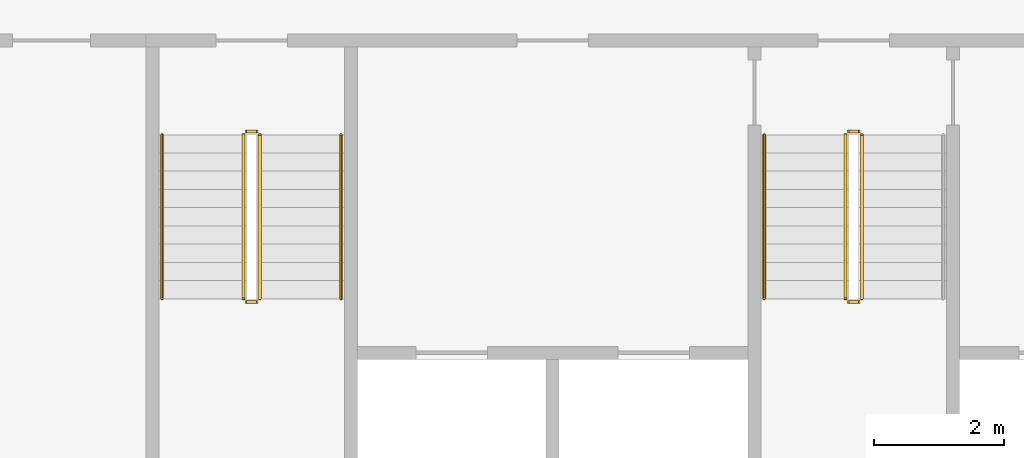
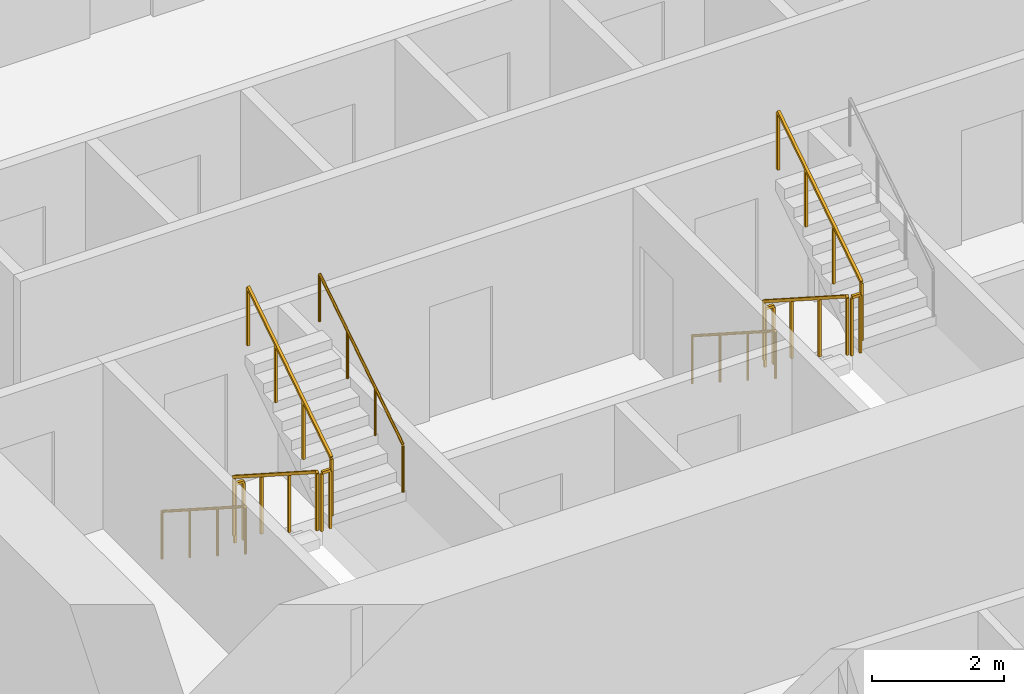
# One storey, part 15 of 18: 11 railings.
"""IFC4 building model written with IfcOpenShell, lengths in metres."""

from ifc_helpers import new_model, si_unit, direction, frame, origin, origin_2d, place, context, subcontext, project, spatial, rectangle, circle, extrude, material, type_object, element, save


model = new_model("IFC4")

# Units and contexts
model_context = context("Model", 3, precision=1e-05, world=origin(), true_north=direction((0.0, 1.0)))
body_context = subcontext(model_context, "Body", "Model", "MODEL_VIEW")
ifc_project = project(units=[si_unit("LENGTHUNIT", "METRE"), si_unit("AREAUNIT", "SQUARE_METRE"), si_unit("VOLUMEUNIT", "CUBIC_METRE"), si_unit("PLANEANGLEUNIT", "RADIAN"), si_unit("MASSUNIT", "GRAM", prefix="KILO")], contexts=[model_context])

# Site, building, storey
site_placement = place(None, origin())
site = spatial("IfcSite", under=ifc_project, at=site_placement, CompositionType="ELEMENT")
building_placement = place(site_placement, origin())
building = spatial("IfcBuilding", under=site, at=building_placement, Name="Mangrove Gate Tower", CompositionType="ELEMENT")
storey_placement = place(building_placement, frame((0.0, 0.0, 71.10009765625)))
storey = spatial("IfcBuildingStorey", under=building, at=storey_placement, Name="L17", CompositionType="ELEMENT", Elevation=71.10009765625)

# Railings
ifc_material_1 = material(Name="Stainless steel 316", Category="steel")
railing_type_1 = type_object("IfcRailingType", Name="Core stair guard 1100", PredefinedType="GUARDRAIL", material=ifc_material_1)
railing_1_placement = place(storey_placement, frame((-9.39990234375, -4.64990234375, 0.179931640625)))
element("IfcRailing", 1, at=railing_1_placement, inside=storey, type_object=railing_type_1, Name="L17 ST1 stair guard 1", PredefinedType="GUARDRAIL", context=body_context, shape_type="SweptSolid", body=[
    extrude(rectangle(XDim=0.048095703125, YDim=0.048095703125, at=origin_2d()), frame((0.0, 0.0, 1.076171875), z_axis=(0.0, -0.841199657755, 0.540724639528), x_axis=(1.0, 0.0, 0.0)), (0.0, 0.0, 1.0), 2.995849609375),
    extrude(rectangle(XDim=0.0419921875, YDim=0.0419921875, at=origin_2d()), origin(), (0.0, 0.0, 1.0), 1.052001953125),
    extrude(rectangle(XDim=0.0419921875, YDim=0.0419921875, at=origin_2d()), frame((0.0, -0.840087890625, 0.5400390625)), (0.0, 0.0, 1.0), 1.052001953125),
    extrude(rectangle(XDim=0.0419921875, YDim=0.0419921875, at=origin_2d()), frame((0.0, -1.679931640625, 1.079833984375)), (0.0, 0.0, 1.0), 1.052001953125),
    extrude(rectangle(XDim=0.0419921875, YDim=0.0419921875, at=origin_2d()), frame((0.0, -2.52001953125, 1.619873046875)), (0.0, 0.0, 1.0), 1.052001953125),
])
railing_2_placement = place(storey_placement, frame((-9.35009765625, -7.219970703125, 1.7998046875)))
element("IfcRailing", 2, at=railing_2_placement, inside=storey, type_object=railing_type_1, Name="L17 ST1 stair guard 2", PredefinedType="GUARDRAIL", context=body_context, shape_type="SweptSolid", body=[
    extrude(rectangle(XDim=0.048095703125, YDim=0.048095703125, at=origin_2d()), frame((0.0, 0.0, 1.076171875), z_axis=(1.0, 0.0, 0.0), x_axis=(0.0, 1.0, 0.0)), (0.0, 0.0, 1.0), 0.150146484375),
    extrude(rectangle(XDim=0.0419921875, YDim=0.0419921875, at=origin_2d()), origin(), (0.0, 0.0, 1.0), 1.052001953125),
    extrude(rectangle(XDim=0.0419921875, YDim=0.0419921875, at=origin_2d()), frame((0.150146484375, 0.0, 0.0)), (0.0, 0.0, 1.0), 1.052001953125),
])
railing_3_placement = place(storey_placement, frame((-9.14990234375, -7.169921875, 1.97998046875)))
element("IfcRailing", 3, at=railing_3_placement, inside=storey, type_object=railing_type_1, Name="L17 ST1 stair guard 3", PredefinedType="GUARDRAIL", context=body_context, shape_type="SweptSolid", body=[
    extrude(rectangle(XDim=0.048095703125, YDim=0.048095703125, at=origin_2d()), frame((0.0, 0.0, 1.076171875), z_axis=(0.0, 0.841199657755, 0.540724639528), x_axis=(-1.0, 0.0, 0.0)), (0.0, 0.0, 1.0), 2.995849609375),
    extrude(rectangle(XDim=0.0419921875, YDim=0.0419921875, at=origin_2d()), origin(), (0.0, 0.0, 1.0), 1.052001953125),
    extrude(rectangle(XDim=0.0419921875, YDim=0.0419921875, at=origin_2d()), frame((0.0, 0.840087890625, 0.5400390625)), (0.0, 0.0, 1.0), 1.052001953125),
    extrude(rectangle(XDim=0.0419921875, YDim=0.0419921875, at=origin_2d()), frame((0.0, 1.679931640625, 1.079833984375)), (0.0, 0.0, 1.0), 1.052001953125),
    extrude(rectangle(XDim=0.0419921875, YDim=0.0419921875, at=origin_2d()), frame((0.0, 2.52001953125, 1.619873046875)), (0.0, 0.0, 1.0), 1.052001953125),
])
railing_4_placement = place(storey_placement, frame((-9.35009765625, -4.60009765625, 0.0)))
element("IfcRailing", 4, at=railing_4_placement, inside=storey, type_object=railing_type_1, Name="L17 ST1 stair guard 4", PredefinedType="GUARDRAIL", context=body_context, shape_type="SweptSolid", body=[
    extrude(rectangle(XDim=0.048095703125, YDim=0.048095703125, at=origin_2d()), frame((0.0, 0.0, 1.076171875), z_axis=(1.0, 0.0, 0.0), x_axis=(0.0, 1.0, 0.0)), (0.0, 0.0, 1.0), 0.150146484375),
    extrude(rectangle(XDim=0.0419921875, YDim=0.0419921875, at=origin_2d()), origin(), (0.0, 0.0, 1.0), 1.052001953125),
    extrude(rectangle(XDim=0.0419921875, YDim=0.0419921875, at=origin_2d()), frame((0.150146484375, 0.0, 0.0)), (0.0, 0.0, 1.0), 1.052001953125),
])
railing_5_placement = place(storey_placement, frame((-0.14990234375, -4.64990234375, 0.179931640625)))
element("IfcRailing", 5, at=railing_5_placement, inside=storey, type_object=railing_type_1, Name="L17 ST2 stair guard 1", PredefinedType="GUARDRAIL", context=body_context, shape_type="SweptSolid", body=[
    extrude(rectangle(XDim=0.048095703125, YDim=0.048095703125, at=origin_2d()), frame((0.0, 0.0, 1.076171875), z_axis=(0.0, -0.841199657755, 0.540724639528), x_axis=(1.0, 0.0, 0.0)), (0.0, 0.0, 1.0), 2.995849609375),
    extrude(rectangle(XDim=0.0419921875, YDim=0.0419921875, at=origin_2d()), origin(), (0.0, 0.0, 1.0), 1.052001953125),
    extrude(rectangle(XDim=0.0419921875, YDim=0.0419921875, at=origin_2d()), frame((0.0, -0.840087890625, 0.5400390625)), (0.0, 0.0, 1.0), 1.052001953125),
    extrude(rectangle(XDim=0.0419921875, YDim=0.0419921875, at=origin_2d()), frame((0.0, -1.679931640625, 1.079833984375)), (0.0, 0.0, 1.0), 1.052001953125),
    extrude(rectangle(XDim=0.0419921875, YDim=0.0419921875, at=origin_2d()), frame((0.0, -2.52001953125, 1.619873046875)), (0.0, 0.0, 1.0), 1.052001953125),
])
railing_6_placement = place(storey_placement, frame((-0.10009765625, -7.219970703125, 1.7998046875)))
element("IfcRailing", 6, at=railing_6_placement, inside=storey, type_object=railing_type_1, Name="L17 ST2 stair guard 2", PredefinedType="GUARDRAIL", context=body_context, shape_type="SweptSolid", body=[
    extrude(rectangle(XDim=0.048095703125, YDim=0.048095703125, at=origin_2d()), frame((0.0, 0.0, 1.076171875), z_axis=(1.0, 0.0, 0.0), x_axis=(0.0, 1.0, 0.0)), (0.0, 0.0, 1.0), 0.150146484375),
    extrude(rectangle(XDim=0.0419921875, YDim=0.0419921875, at=origin_2d()), origin(), (0.0, 0.0, 1.0), 1.052001953125),
    extrude(rectangle(XDim=0.0419921875, YDim=0.0419921875, at=origin_2d()), frame((0.150146484375, 0.0, 0.0)), (0.0, 0.0, 1.0), 1.052001953125),
])
railing_7_placement = place(storey_placement, frame((0.10009765625, -7.169921875, 1.97998046875)))
element("IfcRailing", 7, at=railing_7_placement, inside=storey, type_object=railing_type_1, Name="L17 ST2 stair guard 3", PredefinedType="GUARDRAIL", context=body_context, shape_type="SweptSolid", body=[
    extrude(rectangle(XDim=0.048095703125, YDim=0.048095703125, at=origin_2d()), frame((0.0, 0.0, 1.076171875), z_axis=(0.0, 0.841199657755, 0.540724639528), x_axis=(-1.0, 0.0, 0.0)), (0.0, 0.0, 1.0), 2.995849609375),
    extrude(rectangle(XDim=0.0419921875, YDim=0.0419921875, at=origin_2d()), origin(), (0.0, 0.0, 1.0), 1.052001953125),
    extrude(rectangle(XDim=0.0419921875, YDim=0.0419921875, at=origin_2d()), frame((0.0, 0.840087890625, 0.5400390625)), (0.0, 0.0, 1.0), 1.052001953125),
    extrude(rectangle(XDim=0.0419921875, YDim=0.0419921875, at=origin_2d()), frame((0.0, 1.679931640625, 1.079833984375)), (0.0, 0.0, 1.0), 1.052001953125),
    extrude(rectangle(XDim=0.0419921875, YDim=0.0419921875, at=origin_2d()), frame((0.0, 2.52001953125, 1.619873046875)), (0.0, 0.0, 1.0), 1.052001953125),
])
railing_8_placement = place(storey_placement, frame((-0.10009765625, -4.60009765625, 0.0)))
element("IfcRailing", 8, at=railing_8_placement, inside=storey, type_object=railing_type_1, Name="L17 ST2 stair guard 4", PredefinedType="GUARDRAIL", context=body_context, shape_type="SweptSolid", body=[
    extrude(rectangle(XDim=0.048095703125, YDim=0.048095703125, at=origin_2d()), frame((0.0, 0.0, 1.076171875), z_axis=(1.0, 0.0, 0.0), x_axis=(0.0, 1.0, 0.0)), (0.0, 0.0, 1.0), 0.150146484375),
    extrude(rectangle(XDim=0.0419921875, YDim=0.0419921875, at=origin_2d()), origin(), (0.0, 0.0, 1.0), 1.052001953125),
    extrude(rectangle(XDim=0.0419921875, YDim=0.0419921875, at=origin_2d()), frame((0.150146484375, 0.0, 0.0)), (0.0, 0.0, 1.0), 1.052001953125),
])
ifc_material_2 = material(Name="Stainless steel 316", Category="steel")
railing_type_2 = type_object("IfcRailingType", Name="Core stair handrail 900", PredefinedType="HANDRAIL", material=ifc_material_2)
railing_9_placement = place(storey_placement, frame((-10.64990234375, -4.64990234375, 0.179931640625)))
element("IfcRailing", 9, at=railing_9_placement, inside=storey, type_object=railing_type_2, Name="L17 ST1 stair handrail 1", PredefinedType="HANDRAIL", context=body_context, shape_type="SweptSolid", body=[
    extrude(circle(Radius=0.02392578125, at=origin_2d()), frame((0.0, 0.0, 0.8759765625), z_axis=(0.0, -0.841199657755, 0.540724639528), x_axis=(1.0, 0.0, 0.0)), (0.0, 0.0, 1.0), 2.995849609375),
    extrude(circle(Radius=0.02099609375, at=origin_2d()), origin(), (0.0, 0.0, 1.0), 0.851806640625),
    extrude(circle(Radius=0.02099609375, at=origin_2d()), frame((0.0, -0.840087890625, 0.5400390625)), (0.0, 0.0, 1.0), 0.851806640625),
    extrude(circle(Radius=0.02099609375, at=origin_2d()), frame((0.0, -1.679931640625, 1.079833984375)), (0.0, 0.0, 1.0), 0.851806640625),
    extrude(circle(Radius=0.02099609375, at=origin_2d()), frame((0.0, -2.52001953125, 1.619873046875)), (0.0, 0.0, 1.0), 0.851806640625),
])
railing_10_placement = place(storey_placement, frame((-7.89990234375, -7.169921875, 1.97998046875)))
element("IfcRailing", 10, at=railing_10_placement, inside=storey, type_object=railing_type_2, Name="L17 ST1 stair handrail 2", PredefinedType="HANDRAIL", context=body_context, shape_type="SweptSolid", body=[
    extrude(circle(Radius=0.02392578125, at=origin_2d()), frame((0.0, 0.0, 0.8759765625), z_axis=(0.0, 0.841199657755, 0.540724639528), x_axis=(-1.0, 0.0, 0.0)), (0.0, 0.0, 1.0), 2.995849609375),
    extrude(circle(Radius=0.02099609375, at=origin_2d()), origin(), (0.0, 0.0, 1.0), 0.851806640625),
    extrude(circle(Radius=0.02099609375, at=origin_2d()), frame((0.0, 0.840087890625, 0.5400390625)), (0.0, 0.0, 1.0), 0.851806640625),
    extrude(circle(Radius=0.02099609375, at=origin_2d()), frame((0.0, 1.679931640625, 1.079833984375)), (0.0, 0.0, 1.0), 0.851806640625),
    extrude(circle(Radius=0.02099609375, at=origin_2d()), frame((0.0, 2.52001953125, 1.619873046875)), (0.0, 0.0, 1.0), 0.851806640625),
])
railing_11_placement = place(storey_placement, frame((-1.39990234375, -4.64990234375, 0.179931640625)))
element("IfcRailing", 11, at=railing_11_placement, inside=storey, type_object=railing_type_2, Name="L17 ST2 stair handrail 1", PredefinedType="HANDRAIL", context=body_context, shape_type="SweptSolid", body=[
    extrude(circle(Radius=0.02392578125, at=origin_2d()), frame((0.0, 0.0, 0.8759765625), z_axis=(0.0, -0.841199657755, 0.540724639528), x_axis=(1.0, 0.0, 0.0)), (0.0, 0.0, 1.0), 2.995849609375),
    extrude(circle(Radius=0.02099609375, at=origin_2d()), origin(), (0.0, 0.0, 1.0), 0.851806640625),
    extrude(circle(Radius=0.02099609375, at=origin_2d()), frame((0.0, -0.840087890625, 0.5400390625)), (0.0, 0.0, 1.0), 0.851806640625),
    extrude(circle(Radius=0.02099609375, at=origin_2d()), frame((0.0, -1.679931640625, 1.079833984375)), (0.0, 0.0, 1.0), 0.851806640625),
    extrude(circle(Radius=0.02099609375, at=origin_2d()), frame((0.0, -2.52001953125, 1.619873046875)), (0.0, 0.0, 1.0), 0.851806640625),
])

save(model, "model.ifc")
